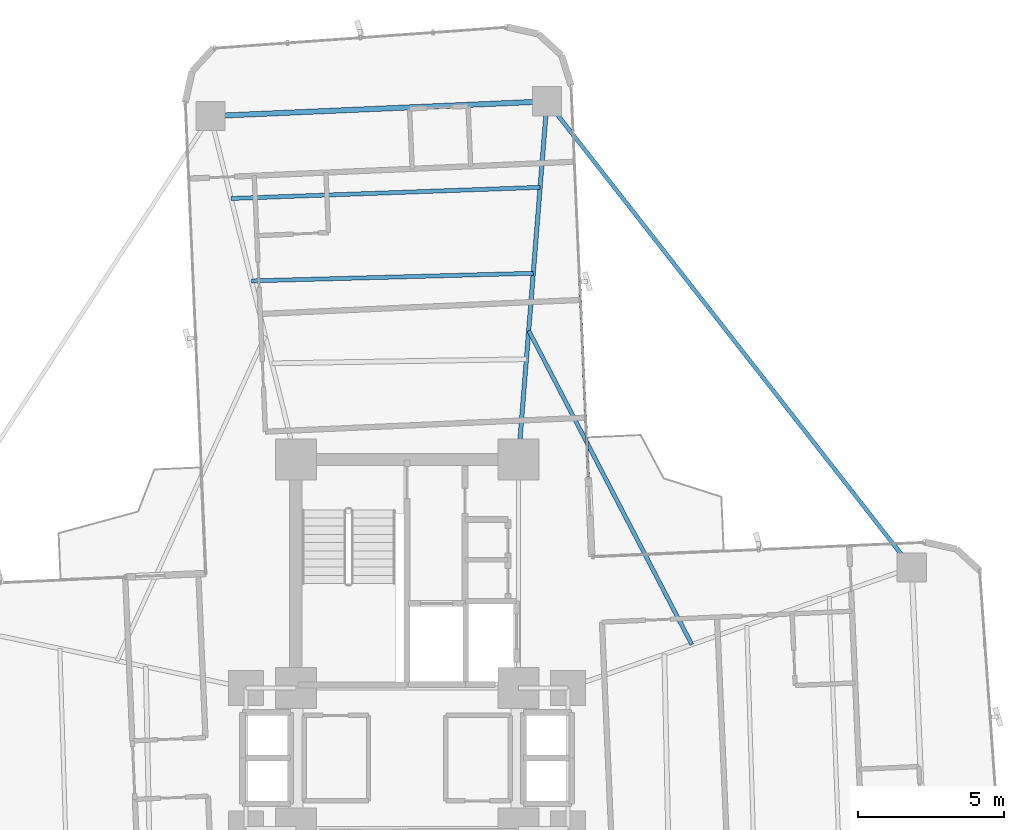
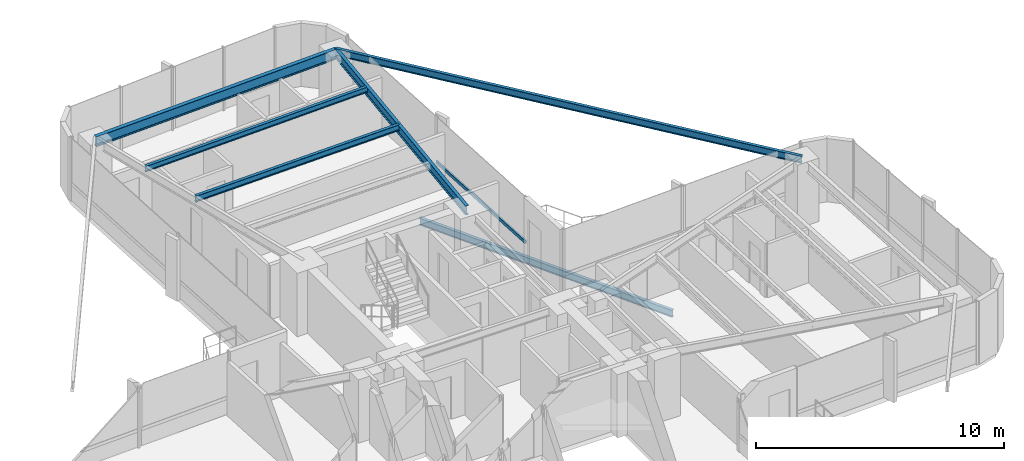
# One storey, part 18 of 26: 6 beams, 1 member, 1 element without a shape of its own.
"""IFC4 building model written with IfcOpenShell, lengths in metres."""

from ifc_helpers import new_model, si_unit, direction, frame, origin, origin_2d, place, context, subcontext, project, spatial, hollow_rectangle, i_section, extrude, source, transform, mapped, material, material_profile, profile_set, type_object, element, aggregate, save


model = new_model("IFC4")

# Units and contexts
model_context = context("Model", 3, precision=1e-05, world=origin(), true_north=direction((0.0, 1.0)))
body_context = subcontext(model_context, "Body", "Model", "MODEL_VIEW")
ifc_project = project(units=[si_unit("LENGTHUNIT", "METRE"), si_unit("AREAUNIT", "SQUARE_METRE"), si_unit("VOLUMEUNIT", "CUBIC_METRE"), si_unit("PLANEANGLEUNIT", "RADIAN"), si_unit("MASSUNIT", "GRAM", prefix="KILO")], contexts=[model_context])

# Site, building, storey
site_placement = place(None, origin())
site = spatial("IfcSite", under=ifc_project, at=site_placement, CompositionType="ELEMENT")
building_placement = place(site_placement, origin())
building = spatial("IfcBuilding", under=site, at=building_placement, Name="Sahyath Konkavel Grand Hotel", CompositionType="ELEMENT")
storey_placement = place(building_placement, frame((0.0, 0.0, 93.550048828125)))
storey = spatial("IfcBuildingStorey", under=building, at=storey_placement, Name="L25", CompositionType="ELEMENT", Elevation=93.550048828125)

# Beams
ifc_material_1 = material(Name="Steel E350", Category="steel")
ifc_material_profile_1 = material_profile(ifc_material_1, i_section(OverallWidth=0.14990234375, OverallDepth=0.449951171875, WebThickness=0.009521484375, FlangeThickness=0.017333984375, FilletRadius=0.014892578125, at=origin_2d()), Name="ISMB 450")
ifc_profile_set_1 = profile_set([ifc_material_profile_1], Name="Steel E350")
beam_type_1 = type_object("IfcBeamType", Name="BM-ISMB450", PredefinedType="BEAM", material=ifc_profile_set_1)
shared_shape_1 = source(origin(), body_context, "Body", "SweptSolid", [
    extrude(i_section(OverallWidth=0.14990234375, OverallDepth=0.449951171875, WebThickness=0.009521484375, FlangeThickness=0.017333984375, FilletRadius=0.014892578125, at=origin_2d()), origin(), (0.0, 0.0, 1.0), 12.2685546875),
])
beam_1_placement = place(storey_placement, frame((3.800048828125, 10.199951171875, 2.885009765625), z_axis=(0.079558563357, 0.996830193662, 0.0), x_axis=(-0.996830193662, 0.079558563357, 0.0)))
element("IfcBeam", 1, at=beam_1_placement, inside=storey, type_object=beam_type_1, Name="L25 Cruciform Radial Girder NA", PredefinedType="BEAM", context=body_context, shape_type="MappedRepresentation", body=[
    mapped(shared_shape_1, transform((0.0, 0.0, 0.0), scale=1.0)),
])
ifc_material_profile_2 = material_profile(ifc_material_1, i_section(OverallWidth=0.179931640625, OverallDepth=0.5, WebThickness=0.01025390625, FlangeThickness=0.01708984375, FilletRadius=0.01708984375, at=origin_2d()), Name="ISMB 500")
ifc_profile_set_2 = profile_set([ifc_material_profile_2], Name="Steel E350")
beam_type_2 = type_object("IfcBeamType", Name="BM-ISMB500", PredefinedType="BEAM", material=ifc_profile_set_2)
shared_shape_2 = source(origin(), body_context, "Body", "SweptSolid", [
    extrude(i_section(OverallWidth=0.179931640625, OverallDepth=0.5, WebThickness=0.01025390625, FlangeThickness=0.01708984375, FilletRadius=0.01708984375, at=origin_2d()), origin(), (0.0, 0.0, 1.0), 11.5),
])
beam_2_placement = place(storey_placement, frame((4.776123046875, 22.4296875, 2.85986328125), z_axis=(-0.99904788879, -0.043627008892, 0.0), x_axis=(0.043627008892, -0.99904788879, 0.0)))
element("IfcBeam", 2, at=beam_2_placement, inside=storey, type_object=beam_type_2, Name="L25 Wing Tip Edge Beam N", PredefinedType="BEAM", context=body_context, shape_type="MappedRepresentation", body=[
    mapped(shared_shape_2, transform((0.0, 0.0, 0.0), scale=1.0)),
])
ifc_material_profile_3 = material_profile(ifc_material_1, i_section(OverallWidth=0.139892578125, OverallDepth=0.35009765625, WebThickness=0.008056640625, FlangeThickness=0.01416015625, FilletRadius=0.013916015625, at=origin_2d()), Name="ISMB 350")
ifc_profile_set_3 = profile_set([ifc_material_profile_3], Name="Steel E350")
beam_type_3 = type_object("IfcBeamType", Name="BM-ISMB350", PredefinedType="BEAM", material=ifc_profile_set_3)
shared_shape_3 = source(origin(), body_context, "Body", "SweptSolid", [
    extrude(i_section(OverallWidth=0.139892578125, OverallDepth=0.35009765625, WebThickness=0.008056640625, FlangeThickness=0.01416015625, FilletRadius=0.013916015625, at=origin_2d()), origin(), (0.0, 0.0, 1.0), 20.215576171875),
])
beam_3_placement = place(storey_placement, frame((17.232421875, 6.5078125, 2.93505859375), z_axis=(-0.616176369687, 0.787608203004, 0.0), x_axis=(-0.787608203004, -0.616176369687, 0.0)))
element("IfcBeam", 3, at=beam_3_placement, inside=storey, type_object=beam_type_3, Name="L25 Re-Entrant Tie Beam NE", PredefinedType="BEAM", context=body_context, shape_type="MappedRepresentation", body=[
    mapped(shared_shape_3, transform((0.0, 0.0, 0.0), scale=1.0)),
])
ifc_material_profile_4 = material_profile(ifc_material_1, i_section(OverallWidth=0.139892578125, OverallDepth=0.300048828125, WebThickness=0.0078125, FlangeThickness=0.01318359375, FilletRadius=0.013916015625, at=origin_2d()), Name="ISMB 300")
ifc_profile_set_4 = profile_set([ifc_material_profile_4], Name="Steel E350")
beam_type_4 = type_object("IfcBeamType", Name="BM-ISMB300", PredefinedType="BEAM", material=ifc_profile_set_4)
shared_shape_4 = source(origin(), body_context, "Body", "SweptSolid", [
    extrude(i_section(OverallWidth=0.139892578125, OverallDepth=0.300048828125, WebThickness=0.0078125, FlangeThickness=0.01318359375, FilletRadius=0.013916015625, at=origin_2d()), origin(), (0.0, 0.0, 1.0), 9.625732421875),
])
beam_4_placement = place(storey_placement, frame((4.3076171875, 16.559326171875, 2.9599609375), z_axis=(-0.999633060528, -0.027087714933, 0.0), x_axis=(0.027087714933, -0.999633060528, 0.0)))
element("IfcBeam", 4, at=beam_4_placement, inside=storey, type_object=beam_type_4, Name="L25 Secondary Floor Beam N-2", PredefinedType="BEAM", context=body_context, shape_type="MappedRepresentation", body=[
    mapped(shared_shape_4, transform((0.0, 0.0, 0.0), scale=1.0)),
])
ifc_material_profile_5 = material_profile(ifc_material_1, i_section(OverallWidth=0.139892578125, OverallDepth=0.27490234375, WebThickness=0.00634765625, FlangeThickness=0.0087890625, FilletRadius=0.012939453125, at=origin_2d()), Name="ISLB 275")
ifc_profile_set_5 = profile_set([ifc_material_profile_5], Name="Steel E350")
beam_type_5 = type_object("IfcBeamType", Name="BM-ISLB275", PredefinedType="BEAM", material=ifc_profile_set_5)
shared_shape_5 = source(origin(), body_context, "Body", "SweptSolid", [
    extrude(i_section(OverallWidth=0.139892578125, OverallDepth=0.27490234375, WebThickness=0.00634765625, FlangeThickness=0.0087890625, FilletRadius=0.012939453125, at=origin_2d()), origin(), (0.0, 0.0, 1.0), 10.562744140625),
])
beam_5_placement = place(storey_placement, frame((4.5419921875, 19.49462890625, 2.972412109375), z_axis=(-0.999348077295, -0.036102914095, 0.0), x_axis=(0.036102914095, -0.999348077295, 0.0)))
element("IfcBeam", 5, at=beam_5_placement, inside=storey, type_object=beam_type_5, Name="L25 Secondary Floor Beam N-3", PredefinedType="BEAM", context=body_context, shape_type="MappedRepresentation", body=[
    mapped(shared_shape_5, transform((0.0, 0.0, 0.0), scale=1.0)),
])

# Curtain wall, member
ifc_material_2 = material(Name="Anodised Bronze Aluminium & Low-E Glazing", Category="aluminium")
curtain_wall_type = type_object("IfcCurtainWallType", Name="CW-ZONE2", PredefinedType="NOTDEFINED", material=ifc_material_2)
curtain_wall_placement = place(storey_placement, origin())
curtain_wall = element("IfcCurtainWall", 6, at=curtain_wall_placement, inside=storey, type_object=curtain_wall_type, Name="L25 Unitised Curtain Wall F8", PredefinedType="NOTDEFINED")
ifc_material_3 = material(Name="Anodised Bronze Aluminium", Category="aluminium")
ifc_material_profile_6 = material_profile(ifc_material_3, hollow_rectangle(XDim=0.080078125, YDim=0.159912109375, WallThickness=0.006103515625, at=origin_2d()), Name="RHS 160x80x6")
ifc_profile_set_6 = profile_set([ifc_material_profile_6], Name="Anodised Bronze Aluminium")
member_type = type_object("IfcMemberType", Name="CW-TRN-160", PredefinedType="USERDEFINED", material=ifc_profile_set_6)
shared_shape_6 = source(origin(), body_context, "Body", "SweptSolid", [
    extrude(hollow_rectangle(XDim=0.080078125, YDim=0.159912109375, WallThickness=0.006103515625, at=origin_2d()), origin(), (0.0, 0.0, 1.0), 6.66015625),
])
member_placement = place(storey_placement, frame((6.186279296875, 9.618896484375, 0.849853515625), z_axis=(-0.043621753165, 0.999048118286, 0.0), x_axis=(-0.999048118286, -0.043621753165, 0.0)))
member = element("IfcMember", 7, at=member_placement, type_object=member_type, Name="L25 Curtain Wall Transom F8-0-spandrel", ObjectType="TRANSOM", PredefinedType="USERDEFINED", context=body_context, shape_type="MappedRepresentation", body=[
    mapped(shared_shape_6, transform((0.0, 0.0, 0.0), scale=1.0)),
])
aggregate(curtain_wall, [member])

# Beam
ifc_material_profile_7 = material_profile(ifc_material_1, i_section(OverallWidth=0.139892578125, OverallDepth=0.35009765625, WebThickness=0.008056640625, FlangeThickness=0.01416015625, FilletRadius=0.013916015625, at=origin_2d()), Name="ISMB 350")
ifc_profile_set_7 = profile_set([ifc_material_profile_7], Name="Steel E350")
beam_type_6 = type_object("IfcBeamType", Name="BM-BALC-CANT", PredefinedType="BEAM", material=ifc_profile_set_7)
shared_shape_7 = source(origin(), body_context, "Body", "SweptSolid", [
    extrude(i_section(OverallWidth=0.139892578125, OverallDepth=0.35009765625, WebThickness=0.008056640625, FlangeThickness=0.01416015625, FilletRadius=0.013916015625, at=origin_2d()), origin(), (0.0, 0.0, 1.0), 12.085205078125),
])
beam_6_placement = place(storey_placement, frame((9.7236328125, 3.87890625, -0.4150390625), z_axis=(-0.461082384626, 0.887357331962, 0.0), x_axis=(-0.887357331962, -0.461082384626, 0.0)))
element("IfcBeam", 8, at=beam_6_placement, inside=storey, type_object=beam_type_6, Name="L25 Balcony Cantilever Support Beam NE", PredefinedType="BEAM", context=body_context, shape_type="MappedRepresentation", body=[
    mapped(shared_shape_7, transform((0.0, 0.0, 0.0), scale=1.0)),
])

save(model, "model.ifc")
